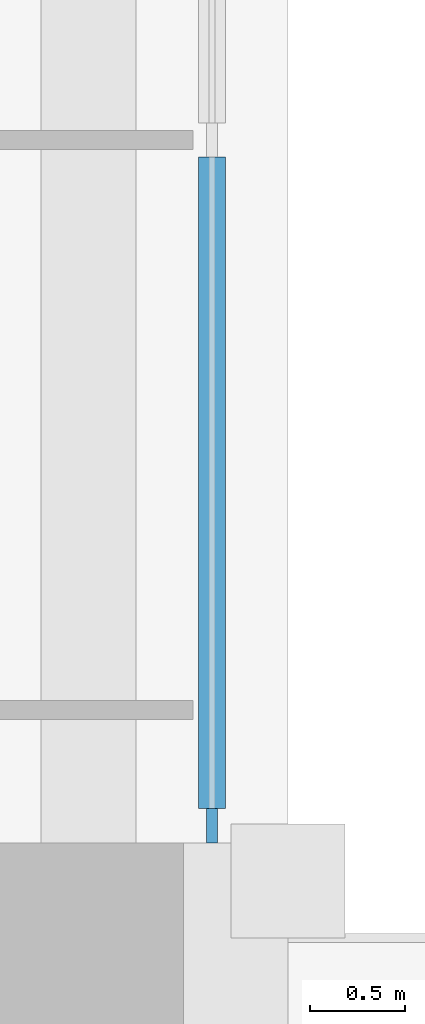
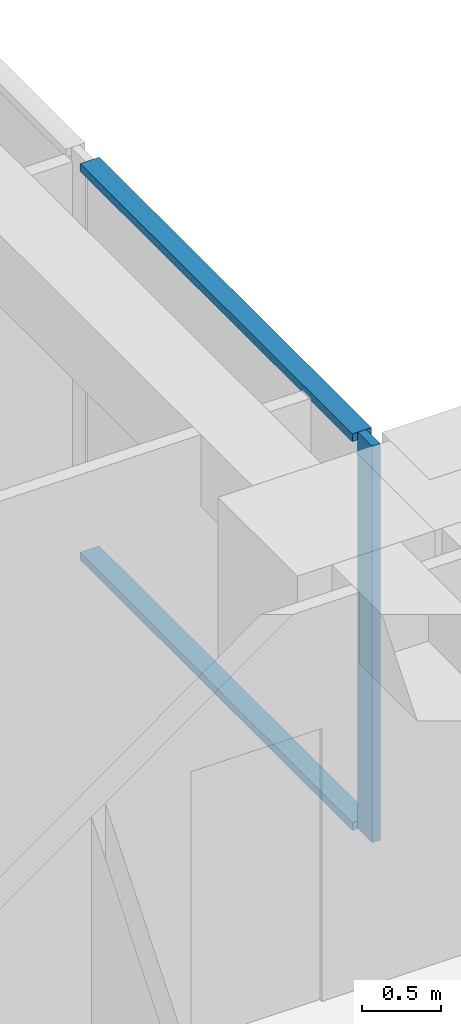
# One storey, part 4 of 17: 3 members, 1 element without a shape of its own.
"""IFC4 building model written with IfcOpenShell, lengths in metres."""

from ifc_helpers import new_model, si_unit, direction, frame, origin, origin_2d, place, context, subcontext, project, spatial, rectangle, extrude, material, material_profile, profile_set, type_object, element, aggregate, save


model = new_model("IFC4")

# Units and contexts
model_context = context("Model", 3, precision=1e-05, world=origin(), true_north=direction((0.0, 1.0)))
body_context = subcontext(model_context, "Body", "Model", "MODEL_VIEW")
ifc_project = project(units=[si_unit("LENGTHUNIT", "METRE"), si_unit("AREAUNIT", "SQUARE_METRE"), si_unit("VOLUMEUNIT", "CUBIC_METRE"), si_unit("PLANEANGLEUNIT", "RADIAN"), si_unit("MASSUNIT", "GRAM", prefix="KILO")], contexts=[model_context])

# Site, building, storey
site_placement = place(None, origin())
site = spatial("IfcSite", under=ifc_project, at=site_placement, CompositionType="ELEMENT")
building_placement = place(site_placement, origin())
building = spatial("IfcBuilding", under=site, at=building_placement, Name="Vermilion Ogive Tower", CompositionType="ELEMENT")
storey_placement = place(building_placement, frame((0.0, 0.0, 203.14990234375)))
storey = spatial("IfcBuildingStorey", under=building, at=storey_placement, Name="L53", CompositionType="ELEMENT", Elevation=203.14990234375)

# Curtain wall, members
ifc_material_1 = material(Name="Low-iron laminated glazing in aluminium frame", Category="aluminium")
curtain_wall_type = type_object("IfcCurtainWallType", Name="Curtain wall CW7", PredefinedType="NOTDEFINED", material=ifc_material_1)
curtain_wall_placement = place(storey_placement, origin())
curtain_wall = element("IfcCurtainWall", 1, at=curtain_wall_placement, inside=storey, type_object=curtain_wall_type, Name="Glazed skin E3", PredefinedType="NOTDEFINED")
ifc_material_2 = material(Name="Aluminium mullion", Category="aluminium")
ifc_material_profile_1 = material_profile(ifc_material_2, rectangle(XDim=0.06005859375, YDim=0.179931640625, at=origin_2d()), Name="AL 60x180")
ifc_profile_set_1 = profile_set([ifc_material_profile_1], Name="Aluminium mullion")
member_type_1 = type_object("IfcMemberType", Name="CW7 mullion 60x180", PredefinedType="MULLION", material=ifc_profile_set_1)
member_1_placement = place(storey_placement, frame((25.85009765625, 4.7900390625, 0.0), z_axis=(0.0, 0.0, 1.0), x_axis=(-1.0, 0.0, 0.0)))
member_1 = element("IfcMember", 2, at=member_1_placement, type_object=member_type_1, Name="CW7-E3 mullion 1", PredefinedType="MULLION", context=body_context, shape_type="SweptSolid", body=[
    extrude(rectangle(XDim=0.06005859375, YDim=0.179931640625, at=origin_2d()), origin(), (0.0, 0.0, 1.0), 3.050048828125),
])
ifc_material_3 = material(Name="Aluminium transom", Category="aluminium")
ifc_material_profile_2 = material_profile(ifc_material_3, rectangle(XDim=0.139892578125, YDim=0.06005859375, at=origin_2d()), Name="AL 60x140")
ifc_profile_set_2 = profile_set([ifc_material_profile_2], Name="Aluminium transom")
member_type_2 = type_object("IfcMemberType", Name="CW7 transom 60x140", PredefinedType="USERDEFINED", material=ifc_profile_set_2)
member_2_placement = place(storey_placement, frame((25.85009765625, 4.8798828125, 0.030029296875), z_axis=(0.0, 1.0, 0.0), x_axis=(-1.0, 0.0, 0.0)))
member_2 = element("IfcMember", 3, at=member_2_placement, type_object=member_type_2, Name="CW7-E3 transom 1.1", ObjectType="TRANSOM", PredefinedType="USERDEFINED", context=body_context, shape_type="SweptSolid", body=[
    extrude(rectangle(XDim=0.139892578125, YDim=0.06005859375, at=origin_2d()), origin(), (0.0, 0.0, 1.0), 3.43017578125),
])
member_3_placement = place(storey_placement, frame((25.85009765625, 4.8798828125, 3.02001953125), z_axis=(0.0, 1.0, 0.0), x_axis=(-1.0, 0.0, 0.0)))
member_3 = element("IfcMember", 4, at=member_3_placement, type_object=member_type_2, Name="CW7-E3 transom 1.2", ObjectType="TRANSOM", PredefinedType="USERDEFINED", context=body_context, shape_type="SweptSolid", body=[
    extrude(rectangle(XDim=0.139892578125, YDim=0.06005859375, at=origin_2d()), origin(), (0.0, 0.0, 1.0), 3.43017578125),
])
aggregate(curtain_wall, [member_1, member_2, member_3])

save(model, "model.ifc")
